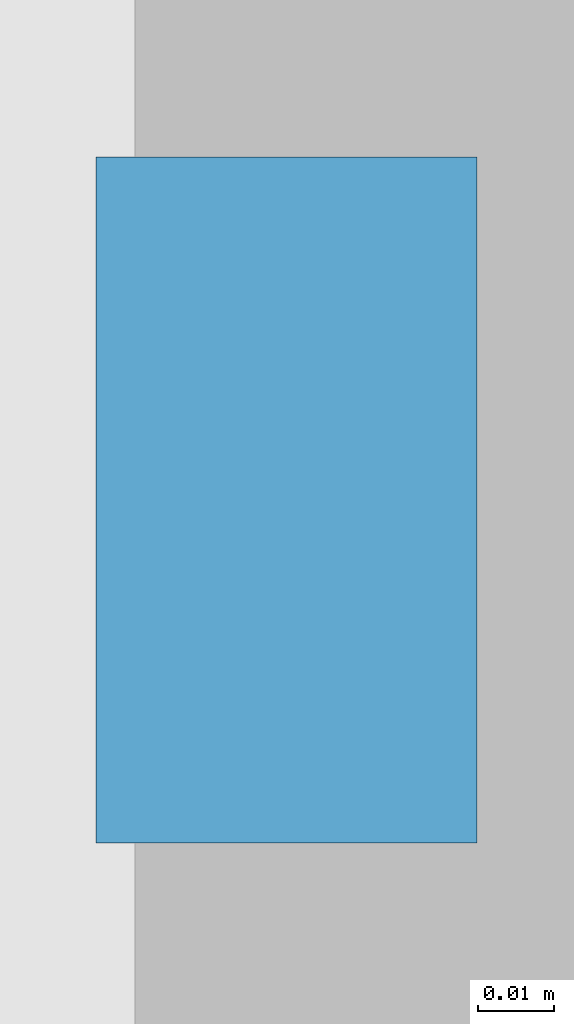
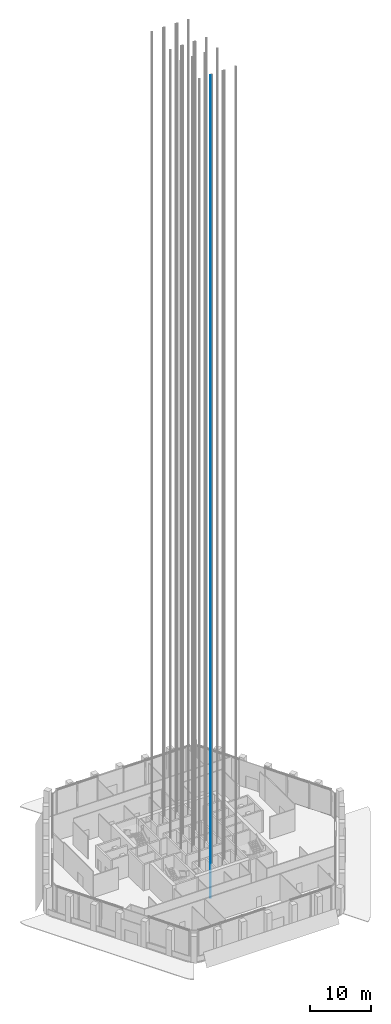
# One storey, part 16 of 42: 1 discrete accessory.
"""IFC4 building model written with IfcOpenShell, lengths in metres."""

import ifcopenshell
import ifcopenshell.guid

model = None  # the IFC model being written
_history = None  # IfcOwnerHistory: only IFC2X3 demands one
_inside = {}  # id of a spatial element -> (the spatial element, [elements in it])
_under = {}  # id of a project, library or spatial element -> (it, [spatial elements below it])
_declared = {}  # id of a project -> (the project, [libraries it declares])
_typed = {}  # id of a type object -> (the type object, [elements of that type])
_made_of = {}  # id of a material, layer set ... -> (it, [elements and type objects made of it])


def new_model(schema):
    """Start an empty IFC model of exactly this schema.

    Asked for "IFC4X3", IfcOpenShell would pick the latest addendum, in which some entities
    have other attributes; the version numbers below select the first issue.
    IFC2X3 requires an IfcOwnerHistory on every rooted entity: one is made here for all.
    """
    global model, _history
    if schema == "IFC4X3":
        model = ifcopenshell.file(schema_version=(4, 3, 0, 0))
    else:
        model = ifcopenshell.file(schema=schema)
    _inside.clear()
    _under.clear()
    _declared.clear()
    _typed.clear()
    _made_of.clear()
    _history = None
    if model.schema == "IFC2X3":
        org = make("IfcOrganization", Name="unknown")
        user = make(
            "IfcPersonAndOrganization",
            ThePerson=make("IfcPerson", FamilyName="unknown"),
            TheOrganization=org,
        )
        app = make(
            "IfcApplication",
            ApplicationDeveloper=org,
            Version="unknown",
            ApplicationFullName="unknown",
            ApplicationIdentifier="unknown",
        )
        _history = make(
            "IfcOwnerHistory",
            OwningUser=user,
            OwningApplication=app,
            ChangeAction="ADDED",
            CreationDate=0,
        )
    return model


def make(cls, **values):
    """One entity of the class cls with the attributes given. An attribute that is None is left unset."""
    return model.create_entity(
        cls, **{name: value for name, value in values.items() if value is not None}
    )


def rooted(cls, **values):
    """An entity with a GlobalId (a new one), such as an element, a storey or a relation."""
    return make(cls, GlobalId=ifcopenshell.guid.new(), OwnerHistory=_history, **values)


def si_unit(unit_type, name, prefix=None):
    """IfcSIUnit, for example si_unit("LENGTHUNIT", "METRE", prefix="MILLI")."""
    return make("IfcSIUnit", UnitType=unit_type, Prefix=prefix, Name=name)


def assignment(units):
    """IfcUnitAssignment: the units of a project."""
    return None if units is None else make("IfcUnitAssignment", Units=units)


def point(xyz):
    """IfcCartesianPoint."""
    return None if xyz is None else make("IfcCartesianPoint", Coordinates=xyz)


def direction(xyz):
    """IfcDirection."""
    return None if xyz is None else make("IfcDirection", DirectionRatios=xyz)


def frame(location, z_axis=None, x_axis=None):
    """IfcAxis2Placement3D, a coordinate frame: its origin and axes. An axis left out is left unset."""
    return make(
        "IfcAxis2Placement3D",
        Location=point(location),
        Axis=direction(z_axis),
        RefDirection=direction(x_axis),
    )


def frame_2d(location, x_axis=None):
    """IfcAxis2Placement2D, a coordinate frame in the plane: its origin and x axis."""
    return make(
        "IfcAxis2Placement2D", Location=point(location), RefDirection=direction(x_axis)
    )


def origin():
    """The frame at (0, 0, 0) with its axes left unset."""
    return frame((0.0, 0.0, 0.0))


def origin_2d():
    """The frame at (0, 0) in the plane with its x axis left unset."""
    return frame_2d((0.0, 0.0))


def place(relative_to, where):
    """IfcLocalPlacement: puts the frame where relative to a parent placement (None: the world)."""
    return make(
        "IfcLocalPlacement", PlacementRelTo=relative_to, RelativePlacement=where
    )


def context(
    kind, dimensions, precision=None, world=None, true_north=None, identifier=None
):
    """IfcGeometricRepresentationContext, for example the 3D "Model" context."""
    return make(
        "IfcGeometricRepresentationContext",
        ContextIdentifier=identifier,
        ContextType=kind,
        CoordinateSpaceDimension=dimensions,
        Precision=precision,
        WorldCoordinateSystem=world,
        TrueNorth=true_north,
    )


def subcontext(parent, identifier, kind, view, scale=None):
    """IfcGeometricRepresentationSubContext, for example "Body" below "Model"."""
    return make(
        "IfcGeometricRepresentationSubContext",
        ContextIdentifier=identifier,
        ContextType=kind,
        ParentContext=parent,
        TargetScale=scale,
        TargetView=view,
    )


def project(units=None, contexts=None):
    """IfcProject with its units and contexts."""
    return rooted(
        "IfcProject",
        Name="project",
        RepresentationContexts=contexts,
        UnitsInContext=assignment(units),
    )


def spatial(cls, under=None, at=None, **own):
    """A site, building, storey or space (cls), placed at a placement, below another one or the project."""
    s = rooted(cls, ObjectPlacement=at, **own)
    if under is not None:
        _under.setdefault(under.id(), (under, []))[1].append(s)
    return s


def profile(cls, at=None, kind="AREA", **sizes):
    """A parametric profile (cls). Its sizes go by their IFC names, for example OverallWidth=200.0."""
    return make(cls, ProfileType=kind, Position=at, **sizes)


def rectangle(**sizes):
    """IfcRectangleProfileDef."""
    return profile("IfcRectangleProfileDef", **sizes)


def extrude(swept, where, along, depth):
    """IfcExtrudedAreaSolid: the profile swept, set in the frame where, extruded along a direction by depth."""
    return make(
        "IfcExtrudedAreaSolid",
        SweptArea=swept,
        Position=where,
        ExtrudedDirection=direction(along),
        Depth=depth,
    )


def shape(context_of_items, identifier, shape_type, items):
    """IfcShapeRepresentation: the items that make up one representation, for example the "Body"."""
    return make(
        "IfcShapeRepresentation",
        ContextOfItems=context_of_items,
        RepresentationIdentifier=identifier,
        RepresentationType=shape_type,
        Items=items,
    )


def made_of(thing, what):
    """Note that an element or type object is made of a material, layer set ...; save() writes the relation."""
    if what is not None:
        _made_of.setdefault(what.id(), (what, []))[1].append(thing)
    return thing


def element(
    cls,
    number,
    at=None,
    inside=None,
    cuts=None,
    type_object=None,
    material=None,
    context=None,
    identifier="Body",
    shape_type=None,
    held_by="IfcProductDefinitionShape",
    body=None,
    shapes=None,
    **own,
):
    """One element of the class cls, such as IfcWall. Its Tag is "e" and its number.

    at: its placement. inside: the storey or other place that contains it. cuts: it is an
    opening in that element (IfcRelVoidsElement). A single representation is given by context,
    identifier, shape_type and body (its items); several are given by shapes. held_by: the class
    of the entity that holds the representations. save() writes the other relations.
    """
    e = rooted(cls, Tag="e%d" % number, ObjectPlacement=at, **own)
    if body is not None:
        shapes = [shape(context, identifier, shape_type, body)]
    if shapes is not None:
        e.Representation = make(held_by, Representations=shapes)
    if inside is not None:
        _inside.setdefault(inside.id(), (inside, []))[1].append(e)
    if cuts is not None:
        rooted(
            "IfcRelVoidsElement", RelatingBuildingElement=cuts, RelatedOpeningElement=e
        )
    if type_object is not None:
        _typed.setdefault(type_object.id(), (type_object, []))[1].append(e)
    return made_of(e, material)


def aggregate(whole, parts):
    """IfcRelAggregates: a whole, such as a stair, and the parts it consists of."""
    return rooted("IfcRelAggregates", RelatingObject=whole, RelatedObjects=parts)


def save(model, path):
    """Write the relations noted so far, then the file.

    IfcRelAggregates (storeys below a building ...), IfcRelContainedInSpatialStructure (elements
    in a storey), IfcRelDefinesByType, IfcRelAssociatesMaterial and IfcRelDeclares: one each for
    every whole, place, type object, material and project.
    """
    for whole, parts in _under.values():
        aggregate(whole, parts)
    for where, things in _inside.values():
        rooted(
            "IfcRelContainedInSpatialStructure",
            RelatedElements=things,
            RelatingStructure=where,
        )
    for kind, things in _typed.values():
        rooted("IfcRelDefinesByType", RelatedObjects=things, RelatingType=kind)
    for what, things in _made_of.values():
        rooted("IfcRelAssociatesMaterial", RelatedObjects=things, RelatingMaterial=what)
    for by, libraries in _declared.values():
        rooted("IfcRelDeclares", RelatingContext=by, RelatedDefinitions=libraries)
    model.write(path)


model = new_model("IFC4")

# Units and contexts
model_context = context("Model", 3, precision=1e-05, world=origin(), true_north=direction((0.0, 1.0)))
body_context = subcontext(model_context, "Body", "Model", "MODEL_VIEW")
ifc_project = project(units=[si_unit("LENGTHUNIT", "METRE"), si_unit("AREAUNIT", "SQUARE_METRE"), si_unit("VOLUMEUNIT", "CUBIC_METRE"), si_unit("PLANEANGLEUNIT", "RADIAN"), si_unit("MASSUNIT", "GRAM", prefix="KILO")], contexts=[model_context])

# Site, building, storey
site_placement = place(None, origin())
site = spatial("IfcSite", under=ifc_project, at=site_placement, CompositionType="ELEMENT")
building_placement = place(site_placement, origin())
building = spatial("IfcBuilding", under=site, at=building_placement, Name="Kolab Exchange Tower", CompositionType="ELEMENT")
storey_placement = place(building_placement, frame((0.0, 0.0, 133.39990234375)))
storey = spatial("IfcBuildingStorey", under=building, at=storey_placement, Name="L26", CompositionType="ELEMENT", Elevation=133.39990234375)

# Discrete accessory
discrete_accessory_placement = place(storey_placement, frame((-1.330078125, -7.800048828125, -1.599853515625), z_axis=(0.0, 0.0, 1.0), x_axis=(1.0, 0.0, 0.0)))
element("IfcDiscreteAccessory", 1, at=discrete_accessory_placement, inside=storey, Name="Guide rail HR10-2", ObjectType="GUIDE RAIL", PredefinedType="USERDEFINED", context=body_context, shape_type="SweptSolid", body=[
    extrude(rectangle(XDim=0.050048828125, YDim=0.090087890625, at=origin_2d()), origin(), (0.0, 0.0, 1.0), 165.60009765625),
])

save(model, "model.ifc")
